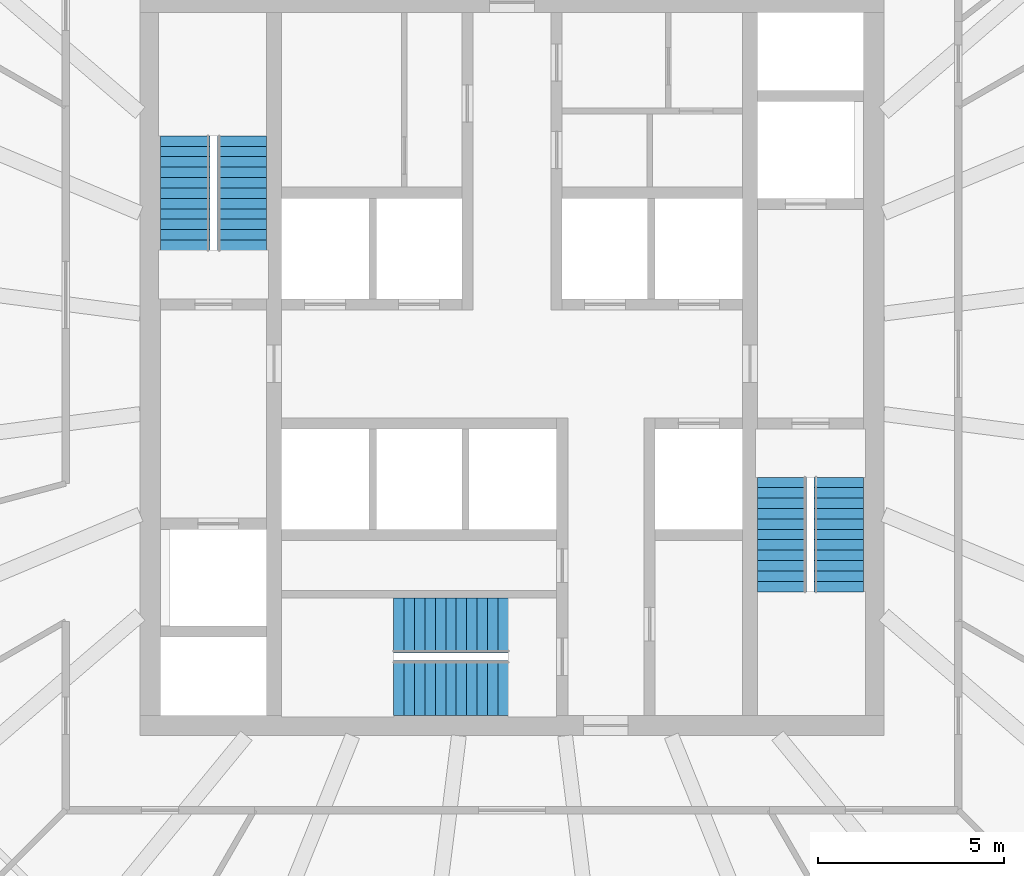
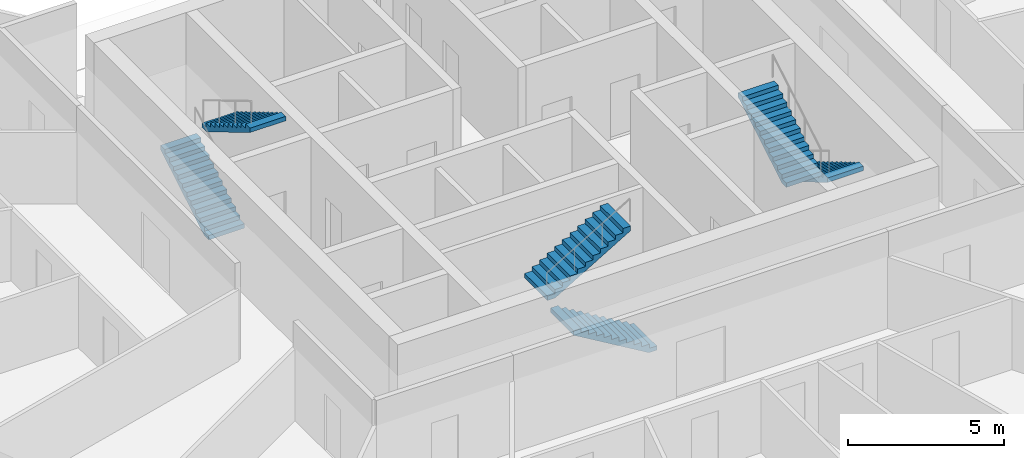
# One storey, part 5 of 6: 6 stair flights, 3 elements without a shape of their own.
"""IFC4 building model written with IfcOpenShell, lengths in metres."""

from ifc_helpers import new_model, si_unit, direction, frame, origin, place, context, subcontext, project, spatial, polyline, outline, extrude, material, type_object, element, aggregate, save


model = new_model("IFC4")

# Units and contexts
model_context = context("Model", 3, precision=1e-05, world=origin(), true_north=direction((0.0, 1.0)))
body_context = subcontext(model_context, "Body", "Model", "MODEL_VIEW")
ifc_project = project(units=[si_unit("LENGTHUNIT", "METRE"), si_unit("AREAUNIT", "SQUARE_METRE"), si_unit("VOLUMEUNIT", "CUBIC_METRE"), si_unit("PLANEANGLEUNIT", "RADIAN"), si_unit("MASSUNIT", "GRAM", prefix="KILO")], contexts=[model_context])

# Site, building, storey
site_placement = place(None, origin())
site = spatial("IfcSite", under=ifc_project, at=site_placement, CompositionType="ELEMENT")
building_placement = place(site_placement, origin())
building = spatial("IfcBuilding", under=site, at=building_placement, Name="Golbaran Civic Tower", CompositionType="ELEMENT")
storey_placement = place(building_placement, frame((0.0, 0.0, 110.0)))
storey = spatial("IfcBuildingStorey", under=building, at=storey_placement, Name="L26", CompositionType="ELEMENT", Elevation=110.0)

# Stair, stair flights
ifc_material = material(Name="Concrete C35/45", Category="concrete")
stair_type_1 = type_object("IfcStairType", Name="EXIT STAIR 2850 x 7700, 4000 RISE", PredefinedType="HALF_TURN_STAIR", material=ifc_material)
stair_1_placement = place(storey_placement, origin())
stair_1 = element("IfcStair", 1, at=stair_1_placement, inside=storey, type_object=stair_type_1, Name="Stair S1 L26", PredefinedType="HALF_TURN_STAIR")
stair_flight_type_1 = type_object("IfcStairFlightType", Name="STAIR FLIGHT 1325 WIDE", PredefinedType="STRAIGHT", material=ifc_material)
stair_flight_1_placement = place(storey_placement, frame((-8.78759765625, 3.050048828125, 0.0), z_axis=(0.0, 0.0, 1.0), x_axis=(0.0, 1.0, 0.0)))
stair_flight_1 = element("IfcStairFlight", 2, at=stair_flight_1_placement, type_object=stair_flight_type_1, Name="ST28577-40 flight 1", NumberOfRisers=12, NumberOfTreads=11, PredefinedType="STRAIGHT", RiserHeight=0.166666667, TreadLength=0.28, context=body_context, shape_type="SweptSolid", body=[
    extrude(outline(polyline([(0.0, 0.0), (0.0, 0.166748046875), (0.280029296875, 0.166748046875), (0.280029296875, 0.333251953125), (0.56005859375, 0.333251953125), (0.56005859375, 0.5), (0.840087890625, 0.5), (0.840087890625, 0.666748046875), (1.1201171875, 0.666748046875), (1.1201171875, 0.833251953125), (1.39990234375, 0.833251953125), (1.39990234375, 1.0), (1.679931640625, 1.0), (1.679931640625, 1.166748046875), (1.9599609375, 1.166748046875), (1.9599609375, 1.333251953125), (2.239990234375, 1.333251953125), (2.239990234375, 1.5), (2.52001953125, 1.5), (2.52001953125, 1.666748046875), (2.800048828125, 1.666748046875), (2.800048828125, 1.833251953125), (3.080078125, 1.833251953125), (3.080078125, 2.0), (3.080078125, 1.658935546875), (0.29296875, 0.0), (0.0, 0.0)])), frame((0.0, 0.66259765625, 0.0), z_axis=(0.0, -1.0, 0.0), x_axis=(1.0, 0.0, 0.0)), (0.0, 0.0, 1.0), 1.324951171875),
])
stair_flight_2_placement = place(storey_placement, frame((-7.262451171875, 6.1298828125, 2.0), z_axis=(0.0, 0.0, 1.0), x_axis=(0.0, -1.0, 0.0)))
stair_flight_2 = element("IfcStairFlight", 3, at=stair_flight_2_placement, type_object=stair_flight_type_1, Name="ST28577-40 flight 2", NumberOfRisers=12, NumberOfTreads=11, PredefinedType="STRAIGHT", RiserHeight=0.166666667, TreadLength=0.28, context=body_context, shape_type="SweptSolid", body=[
    extrude(outline(polyline([(0.0, 0.0), (0.0, 0.166748046875), (0.280029296875, 0.166748046875), (0.280029296875, 0.333251953125), (0.56005859375, 0.333251953125), (0.56005859375, 0.5), (0.840087890625, 0.5), (0.840087890625, 0.666748046875), (1.1201171875, 0.666748046875), (1.1201171875, 0.833251953125), (1.39990234375, 0.833251953125), (1.39990234375, 1.0), (1.679931640625, 1.0), (1.679931640625, 1.166748046875), (1.9599609375, 1.166748046875), (1.9599609375, 1.333251953125), (2.239990234375, 1.333251953125), (2.239990234375, 1.5), (2.52001953125, 1.5), (2.52001953125, 1.666748046875), (2.800048828125, 1.666748046875), (2.800048828125, 1.833251953125), (3.080078125, 1.833251953125), (3.080078125, 2.0), (3.080078125, 1.658935546875), (0.29296875, 0.0), (0.0, 0.0)])), frame((0.0, 0.66259765625, 0.0), z_axis=(0.0, -1.0, 0.0), x_axis=(1.0, 0.0, 0.0)), (0.0, 0.0, 1.0), 1.324951171875),
])
aggregate(stair_1, [stair_flight_1, stair_flight_2])

stair_2_placement = place(storey_placement, origin())
stair_2 = element("IfcStair", 4, at=stair_2_placement, inside=storey, type_object=stair_type_1, Name="Stair S2 L26", PredefinedType="HALF_TURN_STAIR")
stair_flight_3_placement = place(storey_placement, frame((8.78759765625, -3.050048828125, 0.0), z_axis=(0.0, 0.0, 1.0), x_axis=(0.0, -1.0, 0.0)))
stair_flight_3 = element("IfcStairFlight", 5, at=stair_flight_3_placement, type_object=stair_flight_type_1, Name="ST28577-40 flight 1", NumberOfRisers=12, NumberOfTreads=11, PredefinedType="STRAIGHT", RiserHeight=0.166666667, TreadLength=0.28, context=body_context, shape_type="SweptSolid", body=[
    extrude(outline(polyline([(0.0, 0.0), (0.0, 0.166748046875), (0.280029296875, 0.166748046875), (0.280029296875, 0.333251953125), (0.56005859375, 0.333251953125), (0.56005859375, 0.5), (0.840087890625, 0.5), (0.840087890625, 0.666748046875), (1.1201171875, 0.666748046875), (1.1201171875, 0.833251953125), (1.39990234375, 0.833251953125), (1.39990234375, 1.0), (1.679931640625, 1.0), (1.679931640625, 1.166748046875), (1.9599609375, 1.166748046875), (1.9599609375, 1.333251953125), (2.239990234375, 1.333251953125), (2.239990234375, 1.5), (2.52001953125, 1.5), (2.52001953125, 1.666748046875), (2.800048828125, 1.666748046875), (2.800048828125, 1.833251953125), (3.080078125, 1.833251953125), (3.080078125, 2.0), (3.080078125, 1.658935546875), (0.29296875, 0.0), (0.0, 0.0)])), frame((0.0, 0.66259765625, 0.0), z_axis=(0.0, -1.0, 0.0), x_axis=(1.0, 0.0, 0.0)), (0.0, 0.0, 1.0), 1.324951171875),
])
stair_flight_4_placement = place(storey_placement, frame((7.262451171875, -6.1298828125, 2.0), z_axis=(0.0, 0.0, 1.0), x_axis=(0.0, 1.0, 0.0)))
stair_flight_4 = element("IfcStairFlight", 6, at=stair_flight_4_placement, type_object=stair_flight_type_1, Name="ST28577-40 flight 2", NumberOfRisers=12, NumberOfTreads=11, PredefinedType="STRAIGHT", RiserHeight=0.166666667, TreadLength=0.28, context=body_context, shape_type="SweptSolid", body=[
    extrude(outline(polyline([(0.0, 0.0), (0.0, 0.166748046875), (0.280029296875, 0.166748046875), (0.280029296875, 0.333251953125), (0.56005859375, 0.333251953125), (0.56005859375, 0.5), (0.840087890625, 0.5), (0.840087890625, 0.666748046875), (1.1201171875, 0.666748046875), (1.1201171875, 0.833251953125), (1.39990234375, 0.833251953125), (1.39990234375, 1.0), (1.679931640625, 1.0), (1.679931640625, 1.166748046875), (1.9599609375, 1.166748046875), (1.9599609375, 1.333251953125), (2.239990234375, 1.333251953125), (2.239990234375, 1.5), (2.52001953125, 1.5), (2.52001953125, 1.666748046875), (2.800048828125, 1.666748046875), (2.800048828125, 1.833251953125), (3.080078125, 1.833251953125), (3.080078125, 2.0), (3.080078125, 1.658935546875), (0.29296875, 0.0), (0.0, 0.0)])), frame((0.0, 0.66259765625, 0.0), z_axis=(0.0, -1.0, 0.0), x_axis=(1.0, 0.0, 0.0)), (0.0, 0.0, 1.0), 1.324951171875),
])
aggregate(stair_2, [stair_flight_3, stair_flight_4])

stair_type_2 = type_object("IfcStairType", Name="EXIT STAIR 3150 x 7400, 4000 RISE", PredefinedType="HALF_TURN_STAIR", material=ifc_material)
stair_3_placement = place(storey_placement, origin())
stair_3 = element("IfcStair", 7, at=stair_3_placement, inside=storey, type_object=stair_type_2, Name="Stair S3 L26", PredefinedType="HALF_TURN_STAIR")
stair_flight_type_2 = type_object("IfcStairFlightType", Name="STAIR FLIGHT 1475 WIDE", PredefinedType="STRAIGHT", material=ifc_material)
stair_flight_5_placement = place(storey_placement, frame((-0.10009765625, -8.71240234375, 0.0), z_axis=(0.0, 0.0, 1.0), x_axis=(-1.0, 0.0, 0.0)))
stair_flight_5 = element("IfcStairFlight", 8, at=stair_flight_5_placement, type_object=stair_flight_type_2, Name="ST31574-40 flight 1", NumberOfRisers=12, NumberOfTreads=11, PredefinedType="STRAIGHT", RiserHeight=0.166666667, TreadLength=0.28, context=body_context, shape_type="SweptSolid", body=[
    extrude(outline(polyline([(0.0, 0.0), (0.0, 0.166748046875), (0.280029296875, 0.166748046875), (0.280029296875, 0.333251953125), (0.56005859375, 0.333251953125), (0.56005859375, 0.5), (0.840087890625, 0.5), (0.840087890625, 0.666748046875), (1.1201171875, 0.666748046875), (1.1201171875, 0.833251953125), (1.39990234375, 0.833251953125), (1.39990234375, 1.0), (1.679931640625, 1.0), (1.679931640625, 1.166748046875), (1.9599609375, 1.166748046875), (1.9599609375, 1.333251953125), (2.239990234375, 1.333251953125), (2.239990234375, 1.5), (2.52001953125, 1.5), (2.52001953125, 1.666748046875), (2.800048828125, 1.666748046875), (2.800048828125, 1.833251953125), (3.080078125, 1.833251953125), (3.080078125, 2.0), (3.080078125, 1.658935546875), (0.29296875, 0.0), (0.0, 0.0)])), frame((0.0, 0.737548828125, 0.0), z_axis=(0.0, -1.0, 0.0), x_axis=(1.0, 0.0, 0.0)), (0.0, 0.0, 1.0), 1.47509765625),
])
stair_flight_6_placement = place(storey_placement, frame((-3.179931640625, -7.03759765625, 2.0), z_axis=(0.0, 0.0, 1.0), x_axis=(1.0, 0.0, 0.0)))
stair_flight_6 = element("IfcStairFlight", 9, at=stair_flight_6_placement, type_object=stair_flight_type_2, Name="ST31574-40 flight 2", NumberOfRisers=12, NumberOfTreads=11, PredefinedType="STRAIGHT", RiserHeight=0.166666667, TreadLength=0.28, context=body_context, shape_type="SweptSolid", body=[
    extrude(outline(polyline([(0.0, 0.0), (0.0, 0.166748046875), (0.280029296875, 0.166748046875), (0.280029296875, 0.333251953125), (0.56005859375, 0.333251953125), (0.56005859375, 0.5), (0.840087890625, 0.5), (0.840087890625, 0.666748046875), (1.1201171875, 0.666748046875), (1.1201171875, 0.833251953125), (1.39990234375, 0.833251953125), (1.39990234375, 1.0), (1.679931640625, 1.0), (1.679931640625, 1.166748046875), (1.9599609375, 1.166748046875), (1.9599609375, 1.333251953125), (2.239990234375, 1.333251953125), (2.239990234375, 1.5), (2.52001953125, 1.5), (2.52001953125, 1.666748046875), (2.800048828125, 1.666748046875), (2.800048828125, 1.833251953125), (3.080078125, 1.833251953125), (3.080078125, 2.0), (3.080078125, 1.658935546875), (0.29296875, 0.0), (0.0, 0.0)])), frame((0.0, 0.737548828125, 0.0), z_axis=(0.0, -1.0, 0.0), x_axis=(1.0, 0.0, 0.0)), (0.0, 0.0, 1.0), 1.47509765625),
])
aggregate(stair_3, [stair_flight_5, stair_flight_6])

save(model, "model.ifc")
